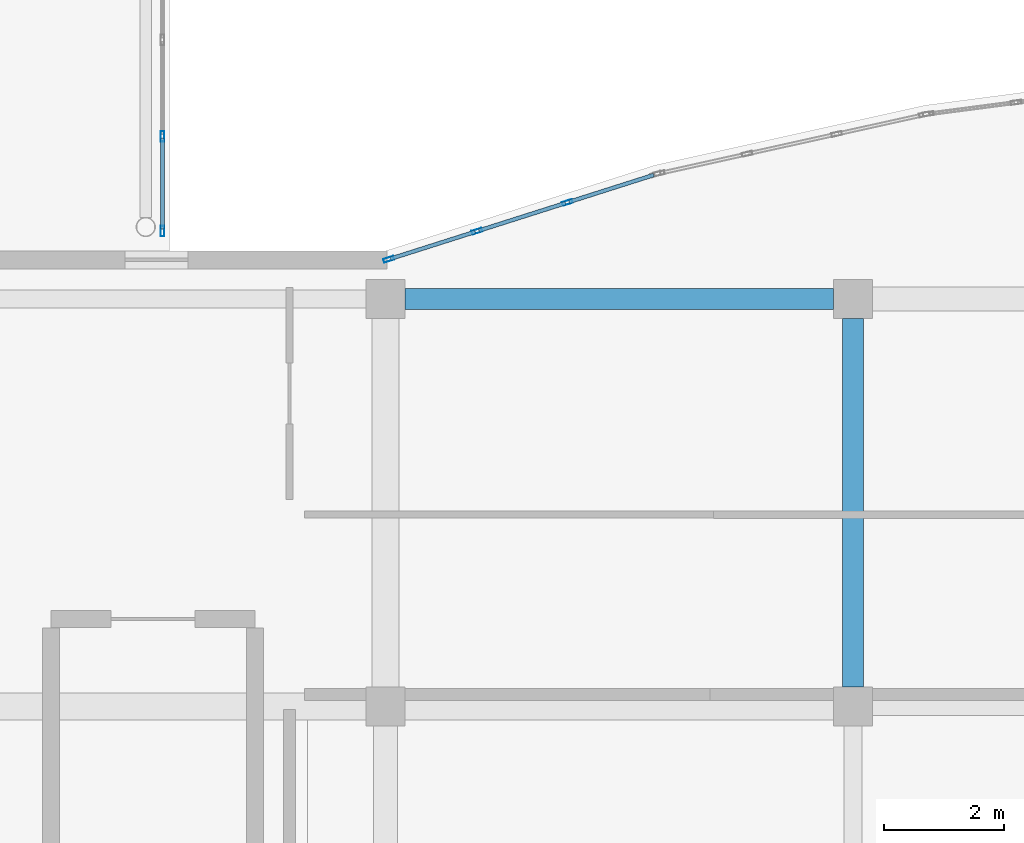
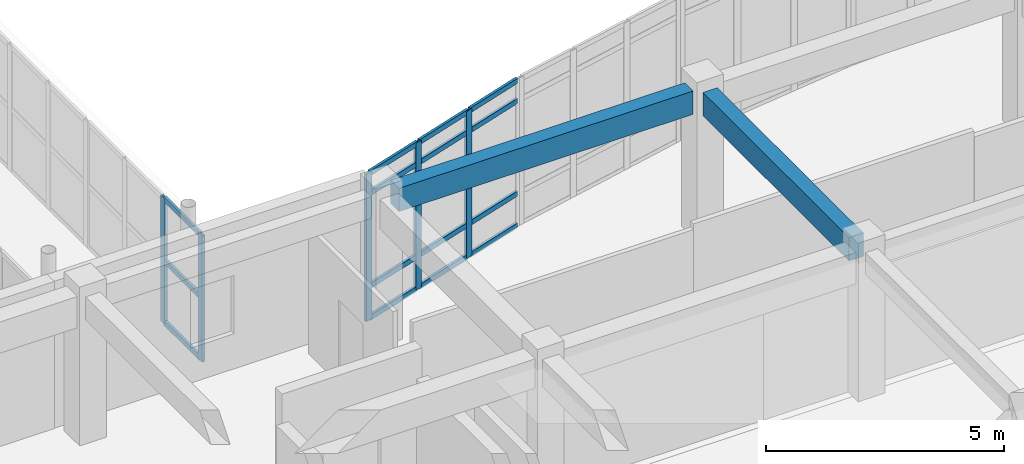
# One storey, part 52 of 146: 20 members, 2 beams, 2 elements without a shape of their own.
"""IFC4 building model written with IfcOpenShell, lengths in metres."""

from ifc_helpers import new_model, si_unit, direction, frame, origin, origin_2d, place, context, subcontext, project, spatial, rectangle, hollow_rectangle, extrude, material, layer, layer_set, material_profile, profile_set, type_object, element, aggregate, save


model = new_model("IFC4")

# Units and contexts
model_context = context("Model", 3, precision=1e-05, world=origin(), true_north=direction((0.0, 1.0)))
body_context = subcontext(model_context, "Body", "Model", "MODEL_VIEW")
ifc_project = project(units=[si_unit("LENGTHUNIT", "METRE"), si_unit("AREAUNIT", "SQUARE_METRE"), si_unit("VOLUMEUNIT", "CUBIC_METRE"), si_unit("PLANEANGLEUNIT", "RADIAN"), si_unit("MASSUNIT", "GRAM", prefix="KILO")], contexts=[model_context])

# Site, building, storey
site_placement = place(None, origin())
site = spatial("IfcSite", under=ifc_project, at=site_placement, CompositionType="ELEMENT")
building_placement = place(site_placement, origin())
building = spatial("IfcBuilding", under=site, at=building_placement, Name="Valcora Specialist Clinic", CompositionType="ELEMENT")
storey_placement = place(building_placement, frame((0.0, 0.0, 9.52001953125)))
storey = spatial("IfcBuildingStorey", under=building, at=storey_placement, Name="L02", CompositionType="ELEMENT", Elevation=9.52001953125)

# Beams
ifc_material_1 = material(Name="Concrete C40/50", Category="concrete")
ifc_material_profile_1 = material_profile(ifc_material_1, rectangle(XDim=0.35009765625, YDim=0.60009765625, at=origin_2d()), Name="RC-BM-350X600")
ifc_profile_set_1 = profile_set([ifc_material_profile_1], Name="Concrete C40/50")
beam_type = type_object("IfcBeamType", Name="TY-BM-RC350X600", PredefinedType="BEAM", material=ifc_profile_set_1)
beam_1_placement = place(storey_placement, frame((69.324951171875, 22.0, 3.47998046875), z_axis=(1.0, 0.0, 0.0), x_axis=(0.0, 1.0, 0.0)))
element("IfcBeam", 1, at=beam_1_placement, inside=storey, type_object=beam_type, Name="Beam BM-L02-1388", PredefinedType="BEAM", context=body_context, shape_type="SweptSolid", body=[
    extrude(rectangle(XDim=0.35009765625, YDim=0.60009765625, at=origin_2d()), origin(), (0.0, 0.0, 1.0), 7.150146484375),
])
beam_2_placement = place(storey_placement, frame((76.800048828125, 15.52490234375, 3.47998046875), z_axis=(0.0, 1.0, 0.0), x_axis=(-1.0, 0.0, 0.0)))
element("IfcBeam", 2, at=beam_2_placement, inside=storey, type_object=beam_type, Name="Beam BM-L02-1404", PredefinedType="BEAM", context=body_context, shape_type="SweptSolid", body=[
    extrude(rectangle(XDim=0.35009765625, YDim=0.60009765625, at=origin_2d()), origin(), (0.0, 0.0, 1.0), 6.150146484375),
])

# Curtain wall, members
ifc_material_2 = material(Name="Anodized Bronze Aluminium 6063-T6", Category="aluminium")
ifc_layer_1 = layer(ifc_material_2, 0.175048828125)
ifc_layer_set_1 = layer_set([ifc_layer_1], Name="Anodized Bronze Aluminium 6063-T6")
curtain_wall_type_1 = type_object("IfcCurtainWallType", Name="TY-CW-ARC40", PredefinedType="NOTDEFINED", material=ifc_layer_set_1)
curtain_wall_1_placement = place(storey_placement, origin())
curtain_wall_1 = element("IfcCurtainWall", 3, at=curtain_wall_1_placement, inside=storey, type_object=curtain_wall_type_1, Name="Curtain wall CW-L02-202", PredefinedType="NOTDEFINED")
ifc_material_profile_2 = material_profile(ifc_material_2, hollow_rectangle(XDim=0.06494140625, YDim=0.175048828125, WallThickness=0.00390625, at=origin_2d()), Name="AL-MUL-65X175")
ifc_profile_set_2 = profile_set([ifc_material_profile_2], Name="Anodized Bronze Aluminium 6063-T6")
member_type_1 = type_object("IfcMemberType", Name="TY-CWM-65X175", PredefinedType="MULLION", material=ifc_profile_set_2)
member_1_placement = place(storey_placement, frame((69.05419921875, 22.659912109375, 0.0), z_axis=(0.0, 0.0, 1.0), x_axis=(-0.303233270958, 0.952916356972, 0.0)))
member_1 = element("IfcMember", 4, at=member_1_placement, type_object=member_type_1, Name="CW-ARC-40 mullion 1", PredefinedType="MULLION", context=body_context, shape_type="SweptSolid", body=[
    extrude(hollow_rectangle(XDim=0.06494140625, YDim=0.175048828125, WallThickness=0.00390625, at=origin_2d()), origin(), (0.0, 0.0, 1.0), 3.780029296875),
])
member_2_placement = place(storey_placement, frame((70.528564453125, 23.12890625, 0.0), z_axis=(0.0, 0.0, 1.0), x_axis=(-0.303233270958, 0.952916356972, 0.0)))
member_2 = element("IfcMember", 5, at=member_2_placement, type_object=member_type_1, Name="CW-ARC-40 mullion 2", PredefinedType="MULLION", context=body_context, shape_type="SweptSolid", body=[
    extrude(hollow_rectangle(XDim=0.06494140625, YDim=0.175048828125, WallThickness=0.00390625, at=origin_2d()), origin(), (0.0, 0.0, 1.0), 3.780029296875),
])
member_3_placement = place(storey_placement, frame((72.033935546875, 23.60791015625, 0.0), z_axis=(0.0, 0.0, 1.0), x_axis=(-0.303233270958, 0.952916356972, 0.0)))
member_3 = element("IfcMember", 6, at=member_3_placement, type_object=member_type_1, Name="CW-ARC-40 mullion 3", PredefinedType="MULLION", context=body_context, shape_type="SweptSolid", body=[
    extrude(hollow_rectangle(XDim=0.06494140625, YDim=0.175048828125, WallThickness=0.00390625, at=origin_2d()), origin(), (0.0, 0.0, 1.0), 3.780029296875),
])

ifc_layer_2 = layer(ifc_material_2, 0.175048828125)
ifc_layer_set_2 = layer_set([ifc_layer_2], Name="Anodized Bronze Aluminium 6063-T6")
curtain_wall_type_2 = type_object("IfcCurtainWallType", Name="TY-CW-BRG14", PredefinedType="NOTDEFINED", material=ifc_layer_set_2)
curtain_wall_2_placement = place(storey_placement, origin())
curtain_wall_2 = element("IfcCurtainWall", 7, at=curtain_wall_2_placement, inside=storey, type_object=curtain_wall_type_2, Name="Curtain wall CW-L02-258", PredefinedType="NOTDEFINED")
member_4_placement = place(storey_placement, frame((65.280029296875, 23.132568359375, 0.0), z_axis=(0.0, 0.0, 1.0), x_axis=(-1.0, 0.0, 0.0)))
member_4 = element("IfcMember", 8, at=member_4_placement, type_object=member_type_1, Name="CW-BRG-14 mullion 1", PredefinedType="MULLION", context=body_context, shape_type="SweptSolid", body=[
    extrude(hollow_rectangle(XDim=0.06494140625, YDim=0.175048828125, WallThickness=0.00390625, at=origin_2d()), origin(), (0.0, 0.0, 1.0), 3.239990234375),
])
member_5_placement = place(storey_placement, frame((65.280029296875, 24.711181640625, 0.0), z_axis=(0.0, 0.0, 1.0), x_axis=(-1.0, 0.0, 0.0)))
member_5 = element("IfcMember", 9, at=member_5_placement, type_object=member_type_1, Name="CW-BRG-14 mullion 2", PredefinedType="MULLION", context=body_context, shape_type="SweptSolid", body=[
    extrude(hollow_rectangle(XDim=0.06494140625, YDim=0.175048828125, WallThickness=0.00390625, at=origin_2d()), origin(), (0.0, 0.0, 1.0), 3.239990234375),
])

# Member
ifc_material_profile_3 = material_profile(ifc_material_2, hollow_rectangle(XDim=0.06494140625, YDim=0.1298828125, WallThickness=0.00390625, at=origin_2d()), Name="AL-TRN-65X130")
ifc_profile_set_3 = profile_set([ifc_material_profile_3], Name="Anodized Bronze Aluminium 6063-T6")
member_type_2 = type_object("IfcMemberType", Name="TY-CWT-65X130", PredefinedType="USERDEFINED", material=ifc_profile_set_3)
member_6_placement = place(storey_placement, frame((69.085205078125, 22.669677734375, 0.032470703125), z_axis=(0.952910635624, 0.303251249816, 0.0), x_axis=(-0.303251249816, 0.952910635624, 0.0)))
member_6 = element("IfcMember", 10, at=member_6_placement, type_object=member_type_2, Name="CW-ARC-40 transom 1.1", ObjectType="TRANSOM", PredefinedType="USERDEFINED", context=body_context, shape_type="SweptSolid", body=[
    extrude(hollow_rectangle(XDim=0.06494140625, YDim=0.1298828125, WallThickness=0.00390625, at=origin_2d()), origin(), (0.0, 0.0, 1.0), 1.482177734375),
])

member_7_placement = place(storey_placement, frame((69.085205078125, 22.669677734375, 0.85009765625), z_axis=(0.952910635624, 0.303251249816, 0.0), x_axis=(-0.303251249816, 0.952910635624, 0.0)))
member_7 = element("IfcMember", 11, at=member_7_placement, type_object=member_type_2, Name="CW-ARC-40 transom 1.2", ObjectType="TRANSOM", PredefinedType="USERDEFINED", context=body_context, shape_type="SweptSolid", body=[
    extrude(hollow_rectangle(XDim=0.06494140625, YDim=0.1298828125, WallThickness=0.00390625, at=origin_2d()), origin(), (0.0, 0.0, 1.0), 1.482177734375),
])

member_8_placement = place(storey_placement, frame((69.085205078125, 22.669677734375, 3.22998046875), z_axis=(0.952910635624, 0.303251249816, 0.0), x_axis=(-0.303251249816, 0.952910635624, 0.0)))
member_8 = element("IfcMember", 12, at=member_8_placement, type_object=member_type_2, Name="CW-ARC-40 transom 1.3", ObjectType="TRANSOM", PredefinedType="USERDEFINED", context=body_context, shape_type="SweptSolid", body=[
    extrude(hollow_rectangle(XDim=0.06494140625, YDim=0.1298828125, WallThickness=0.00390625, at=origin_2d()), origin(), (0.0, 0.0, 1.0), 1.482177734375),
])

member_9_placement = place(storey_placement, frame((69.085205078125, 22.669677734375, 3.74755859375), z_axis=(0.952910635624, 0.303251249816, 0.0), x_axis=(-0.303251249816, 0.952910635624, 0.0)))
member_9 = element("IfcMember", 13, at=member_9_placement, type_object=member_type_2, Name="CW-ARC-40 transom 1.4", ObjectType="TRANSOM", PredefinedType="USERDEFINED", context=body_context, shape_type="SweptSolid", body=[
    extrude(hollow_rectangle(XDim=0.06494140625, YDim=0.1298828125, WallThickness=0.00390625, at=origin_2d()), origin(), (0.0, 0.0, 1.0), 1.482177734375),
])

member_10_placement = place(storey_placement, frame((70.5595703125, 23.138916015625, 0.032470703125), z_axis=(0.952930013692, 0.303190351109, 0.0), x_axis=(-0.303190351109, 0.952930013692, 0.0)))
member_10 = element("IfcMember", 14, at=member_10_placement, type_object=member_type_2, Name="CW-ARC-40 transom 2.1", ObjectType="TRANSOM", PredefinedType="USERDEFINED", context=body_context, shape_type="SweptSolid", body=[
    extrude(hollow_rectangle(XDim=0.06494140625, YDim=0.1298828125, WallThickness=0.00390625, at=origin_2d()), origin(), (0.0, 0.0, 1.0), 1.5146484375),
])

member_11_placement = place(storey_placement, frame((70.5595703125, 23.138916015625, 0.85009765625), z_axis=(0.952930013692, 0.303190351109, 0.0), x_axis=(-0.303190351109, 0.952930013692, 0.0)))
member_11 = element("IfcMember", 15, at=member_11_placement, type_object=member_type_2, Name="CW-ARC-40 transom 2.2", ObjectType="TRANSOM", PredefinedType="USERDEFINED", context=body_context, shape_type="SweptSolid", body=[
    extrude(hollow_rectangle(XDim=0.06494140625, YDim=0.1298828125, WallThickness=0.00390625, at=origin_2d()), origin(), (0.0, 0.0, 1.0), 1.5146484375),
])

member_12_placement = place(storey_placement, frame((70.5595703125, 23.138916015625, 3.22998046875), z_axis=(0.952930013692, 0.303190351109, 0.0), x_axis=(-0.303190351109, 0.952930013692, 0.0)))
member_12 = element("IfcMember", 16, at=member_12_placement, type_object=member_type_2, Name="CW-ARC-40 transom 2.3", ObjectType="TRANSOM", PredefinedType="USERDEFINED", context=body_context, shape_type="SweptSolid", body=[
    extrude(hollow_rectangle(XDim=0.06494140625, YDim=0.1298828125, WallThickness=0.00390625, at=origin_2d()), origin(), (0.0, 0.0, 1.0), 1.5146484375),
])

member_13_placement = place(storey_placement, frame((70.5595703125, 23.138916015625, 3.74755859375), z_axis=(0.952930013692, 0.303190351109, 0.0), x_axis=(-0.303190351109, 0.952930013692, 0.0)))
member_13 = element("IfcMember", 17, at=member_13_placement, type_object=member_type_2, Name="CW-ARC-40 transom 2.4", ObjectType="TRANSOM", PredefinedType="USERDEFINED", context=body_context, shape_type="SweptSolid", body=[
    extrude(hollow_rectangle(XDim=0.06494140625, YDim=0.1298828125, WallThickness=0.00390625, at=origin_2d()), origin(), (0.0, 0.0, 1.0), 1.5146484375),
])

member_14_placement = place(storey_placement, frame((72.064697265625, 23.617919921875, 0.032470703125), z_axis=(0.952910635624, 0.303251249816, 0.0), x_axis=(-0.303251249816, 0.952910635624, 0.0)))
member_14 = element("IfcMember", 18, at=member_14_placement, type_object=member_type_2, Name="CW-ARC-40 transom 3.1", ObjectType="TRANSOM", PredefinedType="USERDEFINED", context=body_context, shape_type="SweptSolid", body=[
    extrude(hollow_rectangle(XDim=0.06494140625, YDim=0.1298828125, WallThickness=0.00390625, at=origin_2d()), origin(), (0.0, 0.0, 1.0), 1.482177734375),
])

member_15_placement = place(storey_placement, frame((72.064697265625, 23.617919921875, 0.85009765625), z_axis=(0.952910635624, 0.303251249816, 0.0), x_axis=(-0.303251249816, 0.952910635624, 0.0)))
member_15 = element("IfcMember", 19, at=member_15_placement, type_object=member_type_2, Name="CW-ARC-40 transom 3.2", ObjectType="TRANSOM", PredefinedType="USERDEFINED", context=body_context, shape_type="SweptSolid", body=[
    extrude(hollow_rectangle(XDim=0.06494140625, YDim=0.1298828125, WallThickness=0.00390625, at=origin_2d()), origin(), (0.0, 0.0, 1.0), 1.482177734375),
])

member_16_placement = place(storey_placement, frame((72.064697265625, 23.617919921875, 3.22998046875), z_axis=(0.952910635624, 0.303251249816, 0.0), x_axis=(-0.303251249816, 0.952910635624, 0.0)))
member_16 = element("IfcMember", 20, at=member_16_placement, type_object=member_type_2, Name="CW-ARC-40 transom 3.3", ObjectType="TRANSOM", PredefinedType="USERDEFINED", context=body_context, shape_type="SweptSolid", body=[
    extrude(hollow_rectangle(XDim=0.06494140625, YDim=0.1298828125, WallThickness=0.00390625, at=origin_2d()), origin(), (0.0, 0.0, 1.0), 1.482177734375),
])

member_17_placement = place(storey_placement, frame((72.064697265625, 23.617919921875, 3.74755859375), z_axis=(0.952910635624, 0.303251249816, 0.0), x_axis=(-0.303251249816, 0.952910635624, 0.0)))
member_17 = element("IfcMember", 21, at=member_17_placement, type_object=member_type_2, Name="CW-ARC-40 transom 3.4", ObjectType="TRANSOM", PredefinedType="USERDEFINED", context=body_context, shape_type="SweptSolid", body=[
    extrude(hollow_rectangle(XDim=0.06494140625, YDim=0.1298828125, WallThickness=0.00390625, at=origin_2d()), origin(), (0.0, 0.0, 1.0), 1.482177734375),
])

aggregate(curtain_wall_1, [member_1, member_2, member_3, member_6, member_7, member_8, member_9, member_10, member_11, member_12, member_13, member_14, member_15, member_16, member_17])

member_18_placement = place(storey_placement, frame((65.280029296875, 23.1650390625, 0.032470703125), z_axis=(0.0, 1.0, 0.0), x_axis=(-1.0, 0.0, 0.0)))
member_18 = element("IfcMember", 22, at=member_18_placement, type_object=member_type_2, Name="CW-BRG-14 transom 1.1", ObjectType="TRANSOM", PredefinedType="USERDEFINED", context=body_context, shape_type="SweptSolid", body=[
    extrude(hollow_rectangle(XDim=0.06494140625, YDim=0.1298828125, WallThickness=0.00390625, at=origin_2d()), origin(), (0.0, 0.0, 1.0), 1.513671875),
])

member_19_placement = place(storey_placement, frame((65.280029296875, 23.1650390625, 1.619873046875), z_axis=(0.0, 1.0, 0.0), x_axis=(-1.0, 0.0, 0.0)))
member_19 = element("IfcMember", 23, at=member_19_placement, type_object=member_type_2, Name="CW-BRG-14 transom 1.2", ObjectType="TRANSOM", PredefinedType="USERDEFINED", context=body_context, shape_type="SweptSolid", body=[
    extrude(hollow_rectangle(XDim=0.06494140625, YDim=0.1298828125, WallThickness=0.00390625, at=origin_2d()), origin(), (0.0, 0.0, 1.0), 1.513671875),
])

member_20_placement = place(storey_placement, frame((65.280029296875, 23.1650390625, 3.20751953125), z_axis=(0.0, 1.0, 0.0), x_axis=(-1.0, 0.0, 0.0)))
member_20 = element("IfcMember", 24, at=member_20_placement, type_object=member_type_2, Name="CW-BRG-14 transom 1.3", ObjectType="TRANSOM", PredefinedType="USERDEFINED", context=body_context, shape_type="SweptSolid", body=[
    extrude(hollow_rectangle(XDim=0.06494140625, YDim=0.1298828125, WallThickness=0.00390625, at=origin_2d()), origin(), (0.0, 0.0, 1.0), 1.513671875),
])

aggregate(curtain_wall_2, [member_4, member_5, member_18, member_19, member_20])

save(model, "model.ifc")
